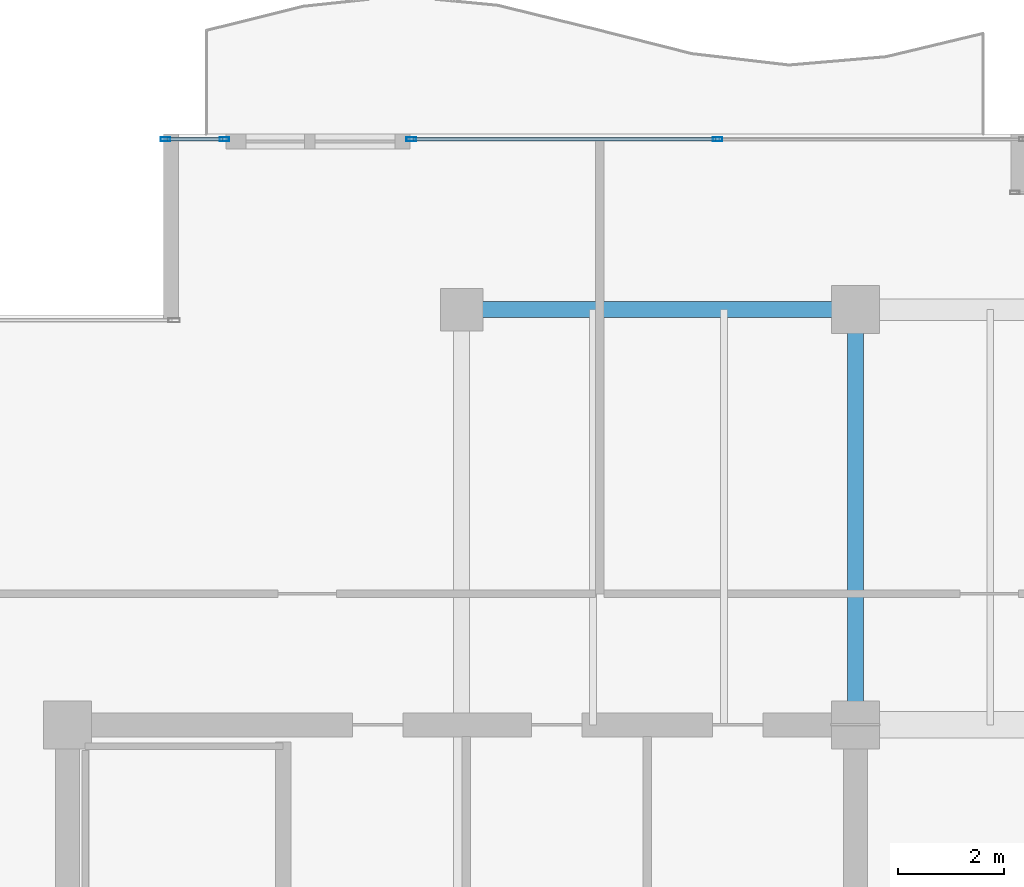
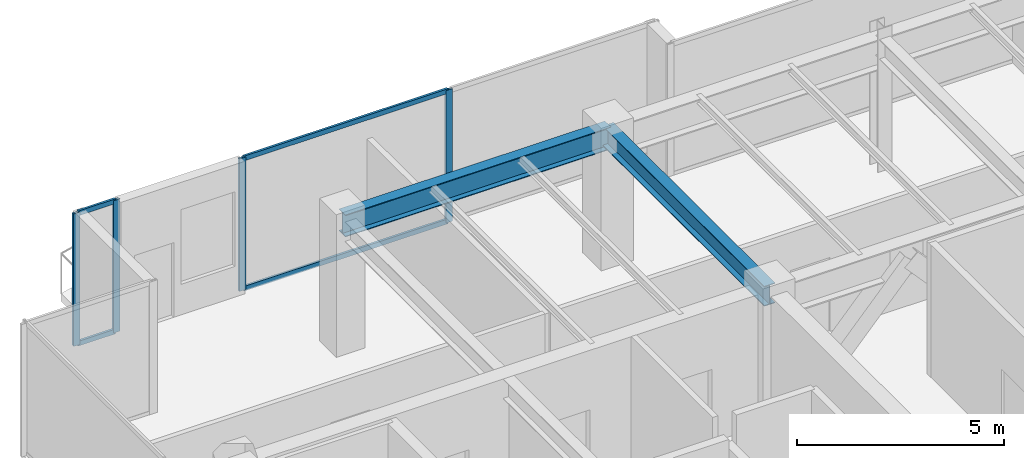
# One storey, part 17 of 31: 8 members, 2 beams, 2 elements without a shape of their own.
"""IFC4 building model written with IfcOpenShell, lengths in metres."""

from ifc_helpers import new_model, si_unit, direction, frame, origin, origin_2d, place, context, subcontext, project, spatial, hollow_rectangle, i_section, extrude, source, transform, mapped, material, layer, layer_set, material_profile, profile_set, type_object, type_shapes, element, aggregate, save


model = new_model("IFC4")

# Units and contexts
model_context = context("Model", 3, precision=1e-05, world=origin(), true_north=direction((0.0, 1.0)))
body_context = subcontext(model_context, "Body", "Model", "MODEL_VIEW")
ifc_project = project(units=[si_unit("LENGTHUNIT", "METRE"), si_unit("AREAUNIT", "SQUARE_METRE"), si_unit("VOLUMEUNIT", "CUBIC_METRE"), si_unit("PLANEANGLEUNIT", "RADIAN"), si_unit("MASSUNIT", "GRAM", prefix="KILO")], contexts=[model_context])

# Site, building, storey
site_placement = place(None, origin())
site = spatial("IfcSite", under=ifc_project, at=site_placement, CompositionType="ELEMENT")
building_placement = place(site_placement, origin())
building = spatial("IfcBuilding", under=site, at=building_placement, Name="Haelvirn Gate Laboratories", CompositionType="ELEMENT")
storey_placement = place(building_placement, frame((0.0, 0.0, 310.199951171875)))
storey = spatial("IfcBuildingStorey", under=building, at=storey_placement, Name="L74", CompositionType="ELEMENT", Elevation=310.199951171875)

# Beams
ifc_material_1 = material(Name="Steel SM355", Category="steel")
ifc_material_profile_1 = material_profile(ifc_material_1, i_section(OverallWidth=0.300048828125, OverallDepth=0.587890625, WebThickness=0.011962890625, FlangeThickness=0.02001953125, at=origin_2d()), Name="H-588x300x12x20")
ifc_profile_set_1 = profile_set([ifc_material_profile_1], Name="Steel SM355")
beam_type_1 = type_object("IfcBeamType", Name="BM-G-588", PredefinedType="BEAM", material=ifc_profile_set_1)
shared_shape_1 = source(origin(), body_context, "Body", "SweptSolid", [
    extrude(i_section(OverallWidth=0.300048828125, OverallDepth=0.587890625, WebThickness=0.011962890625, FlangeThickness=0.02001953125, at=origin_2d()), origin(), (0.0, 0.0, 1.0), 7.800048828125),
])
type_shapes(beam_type_1, [shared_shape_1])
beam_1_placement = place(storey_placement, frame((22.199951171875, 33.800048828125, 3.60595703125), z_axis=(0.0, 1.0, 0.0), x_axis=(-1.0, 0.0, 0.0)))
element("IfcBeam", 1, at=beam_1_placement, inside=storey, type_object=beam_type_1, Name="L74 Frame Girder X22.2 (33.8-41.6)", PredefinedType="BEAM", context=body_context, shape_type="MappedRepresentation", body=[
    mapped(shared_shape_1, transform((0.0, 0.0, 0.0), scale=1.0)),
])
ifc_material_profile_2 = material_profile(ifc_material_1, i_section(OverallWidth=0.300048828125, OverallDepth=0.64990234375, WebThickness=0.012939453125, FlangeThickness=0.02197265625, at=origin_2d()), Name="H-650x300x13x22")
ifc_profile_set_2 = profile_set([ifc_material_profile_2], Name="Steel SM355")
beam_type_2 = type_object("IfcBeamType", Name="BM-G-650", PredefinedType="BEAM", material=ifc_profile_set_2)
shared_shape_2 = source(origin(), body_context, "Body", "SweptSolid", [
    extrude(i_section(OverallWidth=0.300048828125, OverallDepth=0.64990234375, WebThickness=0.012939453125, FlangeThickness=0.02197265625, at=origin_2d()), origin(), (0.0, 0.0, 1.0), 7.39990234375),
])
type_shapes(beam_type_2, [shared_shape_2])
beam_2_placement = place(storey_placement, frame((14.800048828125, 41.60009765625, 3.574951171875), z_axis=(1.0, 0.0, 0.0), x_axis=(0.0, 1.0, 0.0)))
element("IfcBeam", 2, at=beam_2_placement, inside=storey, type_object=beam_type_2, Name="L74 Primary Girder Y41.6 (14.8-22.2)", PredefinedType="BEAM", context=body_context, shape_type="MappedRepresentation", body=[
    mapped(shared_shape_2, transform((0.0, 0.0, 0.0), scale=1.0)),
])

# Curtain wall, members
ifc_material_2 = material(Name="Anodised bronze unitised aluminium & triple low-E glass", Category="aluminium")
ifc_layer = layer(ifc_material_2, 0.176025390625, Name="CW-SYS-4")
ifc_layer_set = layer_set([ifc_layer], Name="Anodised bronze unitised aluminium & triple low-E glass")
curtain_wall_type = type_object("IfcCurtainWallType", Name="CW-SYS-4", PredefinedType="NOTDEFINED", material=ifc_layer_set)
curtain_wall_1_placement = place(storey_placement, origin())
curtain_wall_1 = element("IfcCurtainWall", 3, at=curtain_wall_1_placement, inside=storey, type_object=curtain_wall_type, Name="L74 Unitised Curtain Wall CW-L74-P0-E14-1", PredefinedType="NOTDEFINED")
ifc_material_3 = material(Name="Extruded aluminium 6063-T6 (anodised bronze)", Category="aluminium")
ifc_material_profile_3 = material_profile(ifc_material_3, hollow_rectangle(XDim=0.06494140625, YDim=0.139892578125, WallThickness=0.00390625, at=origin_2d()), Name="CWT-140x65x4")
ifc_profile_set_3 = profile_set([ifc_material_profile_3], Name="Extruded aluminium 6063-T6 (anodised bronze)")
member_type_1 = type_object("IfcMemberType", Name="CWT-T140", PredefinedType="USERDEFINED", material=ifc_profile_set_3)
shared_shape_3 = source(origin(), body_context, "Body", "SweptSolid", [
    extrude(hollow_rectangle(XDim=0.06494140625, YDim=0.139892578125, WallThickness=0.00390625, at=origin_2d()), origin(), (0.0, 0.0, 1.0), 1.0400390625),
])
member_1_placement = place(storey_placement, frame((9.27001953125, 44.800048828125, 0.032470703125), z_axis=(1.0, 0.0, 0.0), x_axis=(0.0, 1.0, 0.0)))
member_1 = element("IfcMember", 4, at=member_1_placement, type_object=member_type_1, Name="CW4 transom 1.1", ObjectType="TRANSOM", PredefinedType="USERDEFINED", context=body_context, shape_type="MappedRepresentation", body=[
    mapped(shared_shape_3, transform((0.0, 0.0, 0.0), scale=1.0)),
])
member_2_placement = place(storey_placement, frame((9.27001953125, 44.800048828125, 3.867431640625), z_axis=(1.0, 0.0, 0.0), x_axis=(0.0, 1.0, 0.0)))
member_2 = element("IfcMember", 5, at=member_2_placement, type_object=member_type_1, Name="CW4 transom 1.2", ObjectType="TRANSOM", PredefinedType="USERDEFINED", context=body_context, shape_type="MappedRepresentation", body=[
    mapped(shared_shape_3, transform((0.0, 0.0, 0.0), scale=1.0)),
])
ifc_material_profile_4 = material_profile(ifc_material_3, hollow_rectangle(XDim=0.070068359375, YDim=0.179931640625, WallThickness=0.0048828125, at=origin_2d()), Name="CWM-180x70x5")
ifc_profile_set_4 = profile_set([ifc_material_profile_4], Name="Extruded aluminium 6063-T6 (anodised bronze)")
member_type_2 = type_object("IfcMemberType", Name="CWM-T180", PredefinedType="MULLION", material=ifc_profile_set_4)
shared_shape_4 = source(origin(), body_context, "Body", "SweptSolid", [
    extrude(hollow_rectangle(XDim=0.070068359375, YDim=0.179931640625, WallThickness=0.0048828125, at=origin_2d()), origin(), (0.0, 0.0, 1.0), 3.900146484375),
])
type_shapes(member_type_2, [shared_shape_4])
member_3_placement = place(storey_placement, frame((9.235107421875, 44.800048828125, 0.0), z_axis=(0.0, 0.0, 1.0), x_axis=(0.0, 1.0, 0.0)))
member_3 = element("IfcMember", 6, at=member_3_placement, type_object=member_type_2, Name="CW4 mullion 1", PredefinedType="MULLION", context=body_context, shape_type="MappedRepresentation", body=[
    mapped(shared_shape_4, transform((0.0, 0.0, 0.0), scale=1.0)),
])
member_4_placement = place(storey_placement, frame((10.344970703125, 44.800048828125, 0.0), z_axis=(0.0, 0.0, 1.0), x_axis=(0.0, 1.0, 0.0)))
member_4 = element("IfcMember", 7, at=member_4_placement, type_object=member_type_2, Name="CW4 mullion 2", PredefinedType="MULLION", context=body_context, shape_type="MappedRepresentation", body=[
    mapped(shared_shape_4, transform((0.0, 0.0, 0.0), scale=1.0)),
])
aggregate(curtain_wall_1, [member_3, member_4, member_1, member_2])

curtain_wall_2_placement = place(storey_placement, origin())
curtain_wall_2 = element("IfcCurtainWall", 8, at=curtain_wall_2_placement, inside=storey, type_object=curtain_wall_type, Name="L74 Unitised Curtain Wall CW-L74-P0-E14-2", PredefinedType="NOTDEFINED")
member_5_placement = place(storey_placement, frame((13.85498046875, 44.800048828125, 0.0), z_axis=(0.0, 0.0, 1.0), x_axis=(0.0, 1.0, 0.0)))
member_5 = element("IfcMember", 9, at=member_5_placement, type_object=member_type_2, Name="CW4 mullion 1", PredefinedType="MULLION", context=body_context, shape_type="MappedRepresentation", body=[
    mapped(shared_shape_4, transform((0.0, 0.0, 0.0), scale=1.0)),
])
member_6_placement = place(storey_placement, frame((19.610107421875, 44.800048828125, 0.0), z_axis=(0.0, 0.0, 1.0), x_axis=(0.0, 1.0, 0.0)))
member_6 = element("IfcMember", 10, at=member_6_placement, type_object=member_type_2, Name="CW4 mullion 2", PredefinedType="MULLION", context=body_context, shape_type="MappedRepresentation", body=[
    mapped(shared_shape_4, transform((0.0, 0.0, 0.0), scale=1.0)),
])
shared_shape_5 = source(origin(), body_context, "Body", "SweptSolid", [
    extrude(hollow_rectangle(XDim=0.06494140625, YDim=0.139892578125, WallThickness=0.00390625, at=origin_2d()), origin(), (0.0, 0.0, 1.0), 5.68505859375),
])
type_shapes(member_type_1, [shared_shape_3, shared_shape_5])
member_7_placement = place(storey_placement, frame((13.889892578125, 44.800048828125, 0.032470703125), z_axis=(1.0, 0.0, 0.0), x_axis=(0.0, 1.0, 0.0)))
member_7 = element("IfcMember", 11, at=member_7_placement, type_object=member_type_1, Name="CW4 transom 1.1", ObjectType="TRANSOM", PredefinedType="USERDEFINED", context=body_context, shape_type="MappedRepresentation", body=[
    mapped(shared_shape_5, transform((0.0, 0.0, 0.0), scale=1.0)),
])
member_8_placement = place(storey_placement, frame((13.889892578125, 44.800048828125, 3.867431640625), z_axis=(1.0, 0.0, 0.0), x_axis=(0.0, 1.0, 0.0)))
member_8 = element("IfcMember", 12, at=member_8_placement, type_object=member_type_1, Name="CW4 transom 1.2", ObjectType="TRANSOM", PredefinedType="USERDEFINED", context=body_context, shape_type="MappedRepresentation", body=[
    mapped(shared_shape_5, transform((0.0, 0.0, 0.0), scale=1.0)),
])
aggregate(curtain_wall_2, [member_5, member_6, member_7, member_8])

save(model, "model.ifc")
